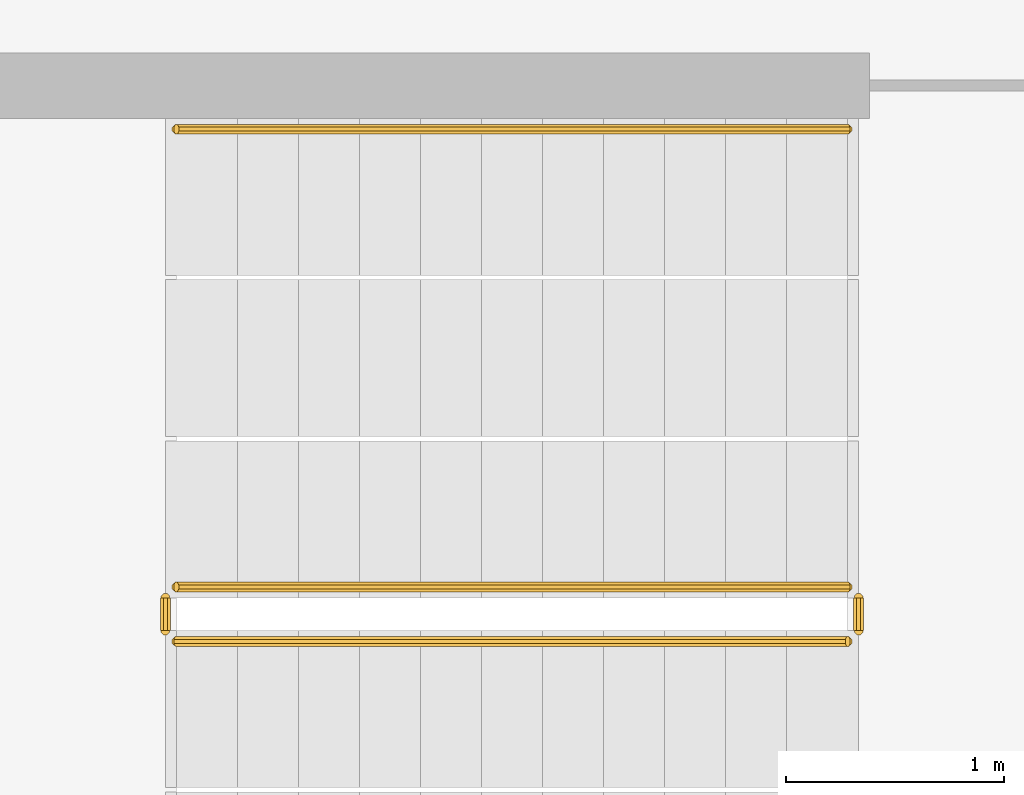
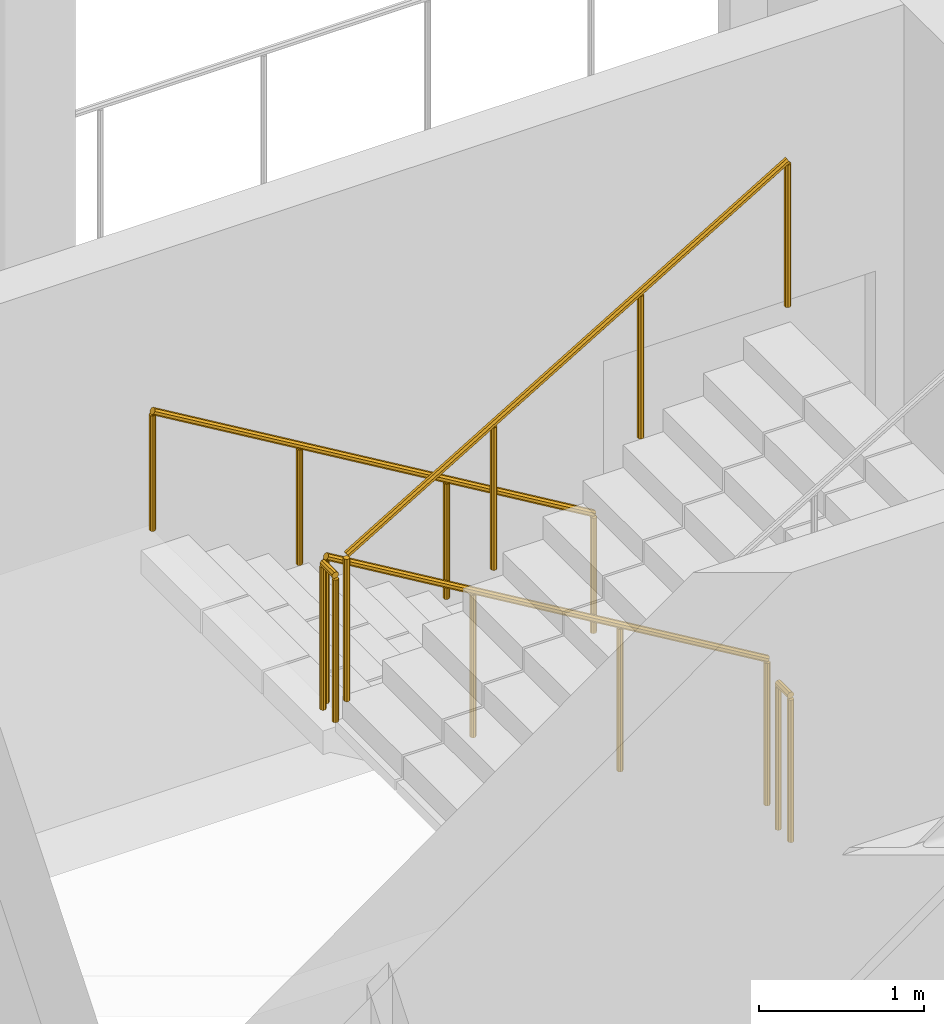
# One storey, part 20 of 28: 5 railings.
"""IFC4 building model written with IfcOpenShell, lengths in metres."""

import ifcopenshell
import ifcopenshell.guid

model = None  # the IFC model being written
_history = None  # IfcOwnerHistory: only IFC2X3 demands one
_inside = {}  # id of a spatial element -> (the spatial element, [elements in it])
_under = {}  # id of a project, library or spatial element -> (it, [spatial elements below it])
_declared = {}  # id of a project -> (the project, [libraries it declares])
_typed = {}  # id of a type object -> (the type object, [elements of that type])
_made_of = {}  # id of a material, layer set ... -> (it, [elements and type objects made of it])


def new_model(schema):
    """Start an empty IFC model of exactly this schema.

    Asked for "IFC4X3", IfcOpenShell would pick the latest addendum, in which some entities
    have other attributes; the version numbers below select the first issue.
    IFC2X3 requires an IfcOwnerHistory on every rooted entity: one is made here for all.
    """
    global model, _history
    if schema == "IFC4X3":
        model = ifcopenshell.file(schema_version=(4, 3, 0, 0))
    else:
        model = ifcopenshell.file(schema=schema)
    _inside.clear()
    _under.clear()
    _declared.clear()
    _typed.clear()
    _made_of.clear()
    _history = None
    if model.schema == "IFC2X3":
        org = make("IfcOrganization", Name="unknown")
        user = make(
            "IfcPersonAndOrganization",
            ThePerson=make("IfcPerson", FamilyName="unknown"),
            TheOrganization=org,
        )
        app = make(
            "IfcApplication",
            ApplicationDeveloper=org,
            Version="unknown",
            ApplicationFullName="unknown",
            ApplicationIdentifier="unknown",
        )
        _history = make(
            "IfcOwnerHistory",
            OwningUser=user,
            OwningApplication=app,
            ChangeAction="ADDED",
            CreationDate=0,
        )
    return model


def make(cls, **values):
    """One entity of the class cls with the attributes given. An attribute that is None is left unset."""
    return model.create_entity(
        cls, **{name: value for name, value in values.items() if value is not None}
    )


def rooted(cls, **values):
    """An entity with a GlobalId (a new one), such as an element, a storey or a relation."""
    return make(cls, GlobalId=ifcopenshell.guid.new(), OwnerHistory=_history, **values)


def si_unit(unit_type, name, prefix=None):
    """IfcSIUnit, for example si_unit("LENGTHUNIT", "METRE", prefix="MILLI")."""
    return make("IfcSIUnit", UnitType=unit_type, Prefix=prefix, Name=name)


def assignment(units):
    """IfcUnitAssignment: the units of a project."""
    return None if units is None else make("IfcUnitAssignment", Units=units)


def point(xyz):
    """IfcCartesianPoint."""
    return None if xyz is None else make("IfcCartesianPoint", Coordinates=xyz)


def direction(xyz):
    """IfcDirection."""
    return None if xyz is None else make("IfcDirection", DirectionRatios=xyz)


def frame(location, z_axis=None, x_axis=None):
    """IfcAxis2Placement3D, a coordinate frame: its origin and axes. An axis left out is left unset."""
    return make(
        "IfcAxis2Placement3D",
        Location=point(location),
        Axis=direction(z_axis),
        RefDirection=direction(x_axis),
    )


def origin():
    """The frame at (0, 0, 0) with its axes left unset."""
    return frame((0.0, 0.0, 0.0))


def place(relative_to, where):
    """IfcLocalPlacement: puts the frame where relative to a parent placement (None: the world)."""
    return make(
        "IfcLocalPlacement", PlacementRelTo=relative_to, RelativePlacement=where
    )


def context(
    kind, dimensions, precision=None, world=None, true_north=None, identifier=None
):
    """IfcGeometricRepresentationContext, for example the 3D "Model" context."""
    return make(
        "IfcGeometricRepresentationContext",
        ContextIdentifier=identifier,
        ContextType=kind,
        CoordinateSpaceDimension=dimensions,
        Precision=precision,
        WorldCoordinateSystem=world,
        TrueNorth=true_north,
    )


def subcontext(parent, identifier, kind, view, scale=None):
    """IfcGeometricRepresentationSubContext, for example "Body" below "Model"."""
    return make(
        "IfcGeometricRepresentationSubContext",
        ContextIdentifier=identifier,
        ContextType=kind,
        ParentContext=parent,
        TargetScale=scale,
        TargetView=view,
    )


def project(units=None, contexts=None):
    """IfcProject with its units and contexts."""
    return rooted(
        "IfcProject",
        Name="project",
        RepresentationContexts=contexts,
        UnitsInContext=assignment(units),
    )


def spatial(cls, under=None, at=None, **own):
    """A site, building, storey or space (cls), placed at a placement, below another one or the project."""
    s = rooted(cls, ObjectPlacement=at, **own)
    if under is not None:
        _under.setdefault(under.id(), (under, []))[1].append(s)
    return s


def polyline(points):
    """IfcPolyline through the points."""
    return make("IfcPolyline", Points=[point(p) for p in points])


def outline(outer, holes=None, kind="AREA"):
    """IfcArbitraryClosedProfileDef: a profile drawn as a closed curve; with holes, ...WithVoids."""
    if holes is None:
        return make("IfcArbitraryClosedProfileDef", ProfileType=kind, OuterCurve=outer)
    return make(
        "IfcArbitraryProfileDefWithVoids",
        ProfileType=kind,
        OuterCurve=outer,
        InnerCurves=holes,
    )


def extrude(swept, where, along, depth):
    """IfcExtrudedAreaSolid: the profile swept, set in the frame where, extruded along a direction by depth."""
    return make(
        "IfcExtrudedAreaSolid",
        SweptArea=swept,
        Position=where,
        ExtrudedDirection=direction(along),
        Depth=depth,
    )


def shape(context_of_items, identifier, shape_type, items):
    """IfcShapeRepresentation: the items that make up one representation, for example the "Body"."""
    return make(
        "IfcShapeRepresentation",
        ContextOfItems=context_of_items,
        RepresentationIdentifier=identifier,
        RepresentationType=shape_type,
        Items=items,
    )


def material(Name=None, Category=None):
    """IfcMaterial."""
    return make("IfcMaterial", Name=Name, Category=Category)


def made_of(thing, what):
    """Note that an element or type object is made of a material, layer set ...; save() writes the relation."""
    if what is not None:
        _made_of.setdefault(what.id(), (what, []))[1].append(thing)
    return thing


def type_object(cls, material=None, **own):
    """A type object (cls), such as IfcWallType, which elements share."""
    return made_of(rooted(cls, **own), material)


def element(
    cls,
    number,
    at=None,
    inside=None,
    cuts=None,
    type_object=None,
    material=None,
    context=None,
    identifier="Body",
    shape_type=None,
    held_by="IfcProductDefinitionShape",
    body=None,
    shapes=None,
    **own,
):
    """One element of the class cls, such as IfcWall. Its Tag is "e" and its number.

    at: its placement. inside: the storey or other place that contains it. cuts: it is an
    opening in that element (IfcRelVoidsElement). A single representation is given by context,
    identifier, shape_type and body (its items); several are given by shapes. held_by: the class
    of the entity that holds the representations. save() writes the other relations.
    """
    e = rooted(cls, Tag="e%d" % number, ObjectPlacement=at, **own)
    if body is not None:
        shapes = [shape(context, identifier, shape_type, body)]
    if shapes is not None:
        e.Representation = make(held_by, Representations=shapes)
    if inside is not None:
        _inside.setdefault(inside.id(), (inside, []))[1].append(e)
    if cuts is not None:
        rooted(
            "IfcRelVoidsElement", RelatingBuildingElement=cuts, RelatedOpeningElement=e
        )
    if type_object is not None:
        _typed.setdefault(type_object.id(), (type_object, []))[1].append(e)
    return made_of(e, material)


def aggregate(whole, parts):
    """IfcRelAggregates: a whole, such as a stair, and the parts it consists of."""
    return rooted("IfcRelAggregates", RelatingObject=whole, RelatedObjects=parts)


def save(model, path):
    """Write the relations noted so far, then the file.

    IfcRelAggregates (storeys below a building ...), IfcRelContainedInSpatialStructure (elements
    in a storey), IfcRelDefinesByType, IfcRelAssociatesMaterial and IfcRelDeclares: one each for
    every whole, place, type object, material and project.
    """
    for whole, parts in _under.values():
        aggregate(whole, parts)
    for where, things in _inside.values():
        rooted(
            "IfcRelContainedInSpatialStructure",
            RelatedElements=things,
            RelatingStructure=where,
        )
    for kind, things in _typed.values():
        rooted("IfcRelDefinesByType", RelatedObjects=things, RelatingType=kind)
    for what, things in _made_of.values():
        rooted("IfcRelAssociatesMaterial", RelatedObjects=things, RelatingMaterial=what)
    for by, libraries in _declared.values():
        rooted("IfcRelDeclares", RelatingContext=by, RelatedDefinitions=libraries)
    model.write(path)


model = new_model("IFC4")

# Units and contexts
model_context = context("Model", 3, precision=1e-05, world=origin(), true_north=direction((0.0, 1.0)))
body_context = subcontext(model_context, "Body", "Model", "MODEL_VIEW")
ifc_project = project(units=[si_unit("LENGTHUNIT", "METRE"), si_unit("AREAUNIT", "SQUARE_METRE"), si_unit("VOLUMEUNIT", "CUBIC_METRE"), si_unit("PLANEANGLEUNIT", "RADIAN"), si_unit("MASSUNIT", "GRAM", prefix="KILO")], contexts=[model_context])

# Site, building, storey
site_placement = place(None, origin())
site = spatial("IfcSite", under=ifc_project, at=site_placement, CompositionType="ELEMENT")
building_placement = place(site_placement, origin())
building = spatial("IfcBuilding", under=site, at=building_placement, Name="Cormorant Relay Tower", CompositionType="ELEMENT")
storey_placement = place(building_placement, frame((0.0, 0.0, 174.199951171875)))
storey = spatial("IfcBuildingStorey", under=building, at=storey_placement, Name="L37", CompositionType="ELEMENT", Elevation=174.199951171875)

# Railings
ifc_material_1 = material(Name="Steel ASTM A572 Grade 50 (Fy 345 MPa)", Category="steel")
railing_type_1 = type_object("IfcRailingType", Name="Stair guard 1100", PredefinedType="GUARDRAIL", material=ifc_material_1)
railing_1_placement = place(storey_placement, frame((1.60009765625, -18.27490234375, 0.166748046875)))
element("IfcRailing", 1, at=railing_1_placement, inside=storey, type_object=railing_type_1, Name="L37 RK1 stair guard 1", PredefinedType="GUARDRAIL", context=body_context, shape_type="SweptSolid", body=[
    extrude(outline(polyline([(0.022216796875, 0.00927734375), (0.00927734375, 0.022216796875), (-0.00927734375, 0.022216796875), (-0.022216796875, 0.00927734375), (-0.022216796875, -0.00927734375), (-0.00927734375, -0.022216796875), (0.00927734375, -0.022216796875), (0.022216796875, -0.00927734375), (0.022216796875, 0.00927734375)])), frame((0.0, 0.0, 1.076171875), z_axis=(-0.859308565015, 0.0, 0.511457515432), x_axis=(0.0, -1.0, 0.0)), (0.0, 0.0, 1.0), 3.58447265625),
    extrude(outline(polyline([(0.019287109375, 0.008056640625), (0.008056640625, 0.019287109375), (-0.008056640625, 0.019287109375), (-0.019287109375, 0.008056640625), (-0.019287109375, -0.008056640625), (-0.008056640625, -0.019287109375), (0.008056640625, -0.019287109375), (0.019287109375, -0.008056640625), (0.019287109375, 0.008056640625)])), origin(), (0.0, 0.0, 1.0), 1.052001953125),
    extrude(outline(polyline([(0.019287109375, 0.008056640625), (0.008056640625, 0.019287109375), (-0.008056640625, 0.019287109375), (-0.019287109375, 0.008056640625), (-0.019287109375, -0.008056640625), (-0.008056640625, -0.019287109375), (0.008056640625, -0.019287109375), (0.019287109375, -0.008056640625), (0.019287109375, 0.008056640625)])), frame((-1.026611328125, 0.0, 0.611083984375)), (0.0, 0.0, 1.0), 1.052001953125),
    extrude(outline(polyline([(0.019287109375, 0.008056640625), (0.008056640625, 0.019287109375), (-0.008056640625, 0.019287109375), (-0.019287109375, 0.008056640625), (-0.019287109375, -0.008056640625), (-0.008056640625, -0.019287109375), (0.008056640625, -0.019287109375), (0.019287109375, -0.008056640625), (0.019287109375, 0.008056640625)])), frame((-2.053466796875, 0.0, 1.22216796875)), (0.0, 0.0, 1.0), 1.052001953125),
    extrude(outline(polyline([(0.019287109375, 0.008056640625), (0.008056640625, 0.019287109375), (-0.008056640625, 0.019287109375), (-0.019287109375, 0.008056640625), (-0.019287109375, -0.008056640625), (-0.008056640625, -0.019287109375), (0.008056640625, -0.019287109375), (0.019287109375, -0.008056640625), (0.019287109375, 0.008056640625)])), frame((-3.080078125, 0.0, 1.833251953125)), (0.0, 0.0, 1.0), 1.052001953125),
])
railing_2_placement = place(storey_placement, frame((-1.530029296875, -18.324951171875, 2.0)))
element("IfcRailing", 2, at=railing_2_placement, inside=storey, type_object=railing_type_1, Name="L37 RK1 stair guard 2", PredefinedType="GUARDRAIL", context=body_context, shape_type="SweptSolid", body=[
    extrude(outline(polyline([(0.022216796875, 0.00927734375), (0.00927734375, 0.022216796875), (-0.00927734375, 0.022216796875), (-0.022216796875, 0.00927734375), (-0.022216796875, -0.00927734375), (-0.00927734375, -0.022216796875), (0.00927734375, -0.022216796875), (0.022216796875, -0.00927734375), (0.022216796875, 0.00927734375)])), frame((0.0, 0.0, 1.076171875), z_axis=(0.0, -1.0, 0.0), x_axis=(1.0, 0.0, 0.0)), (0.0, 0.0, 1.0), 0.150146484375),
    extrude(outline(polyline([(0.019287109375, 0.008056640625), (0.008056640625, 0.019287109375), (-0.008056640625, 0.019287109375), (-0.019287109375, 0.008056640625), (-0.019287109375, -0.008056640625), (-0.008056640625, -0.019287109375), (0.008056640625, -0.019287109375), (0.019287109375, -0.008056640625), (0.019287109375, 0.008056640625)])), origin(), (0.0, 0.0, 1.0), 1.052001953125),
    extrude(outline(polyline([(0.019287109375, 0.008056640625), (0.008056640625, 0.019287109375), (-0.008056640625, 0.019287109375), (-0.019287109375, 0.008056640625), (-0.019287109375, -0.008056640625), (-0.008056640625, -0.019287109375), (0.008056640625, -0.019287109375), (0.019287109375, -0.008056640625), (0.019287109375, 0.008056640625)])), frame((0.0, -0.150146484375, 0.0)), (0.0, 0.0, 1.0), 1.052001953125),
])
railing_3_placement = place(storey_placement, frame((-1.47998046875, -18.52490234375, 2.166748046875)))
element("IfcRailing", 3, at=railing_3_placement, inside=storey, type_object=railing_type_1, Name="L37 RK1 stair guard 3", PredefinedType="GUARDRAIL", context=body_context, shape_type="SweptSolid", body=[
    extrude(outline(polyline([(0.022216796875, 0.00927734375), (0.00927734375, 0.022216796875), (-0.00927734375, 0.022216796875), (-0.022216796875, 0.00927734375), (-0.022216796875, -0.00927734375), (-0.00927734375, -0.022216796875), (0.00927734375, -0.022216796875), (0.022216796875, -0.00927734375), (0.022216796875, 0.00927734375)])), frame((0.0, 0.0, 1.076171875), z_axis=(0.859308565015, 0.0, 0.511457515432), x_axis=(0.0, 1.0, 0.0)), (0.0, 0.0, 1.0), 3.58447265625),
    extrude(outline(polyline([(0.019287109375, 0.008056640625), (0.008056640625, 0.019287109375), (-0.008056640625, 0.019287109375), (-0.019287109375, 0.008056640625), (-0.019287109375, -0.008056640625), (-0.008056640625, -0.019287109375), (0.008056640625, -0.019287109375), (0.019287109375, -0.008056640625), (0.019287109375, 0.008056640625)])), origin(), (0.0, 0.0, 1.0), 1.052001953125),
    extrude(outline(polyline([(0.019287109375, 0.008056640625), (0.008056640625, 0.019287109375), (-0.008056640625, 0.019287109375), (-0.019287109375, 0.008056640625), (-0.019287109375, -0.008056640625), (-0.008056640625, -0.019287109375), (0.008056640625, -0.019287109375), (0.019287109375, -0.008056640625), (0.019287109375, 0.008056640625)])), frame((1.026611328125, 0.0, 0.611083984375)), (0.0, 0.0, 1.0), 1.052001953125),
    extrude(outline(polyline([(0.019287109375, 0.008056640625), (0.008056640625, 0.019287109375), (-0.008056640625, 0.019287109375), (-0.019287109375, 0.008056640625), (-0.019287109375, -0.008056640625), (-0.008056640625, -0.019287109375), (0.008056640625, -0.019287109375), (0.019287109375, -0.008056640625), (0.019287109375, 0.008056640625)])), frame((2.053466796875, 0.0, 1.22216796875)), (0.0, 0.0, 1.0), 1.052001953125),
    extrude(outline(polyline([(0.019287109375, 0.008056640625), (0.008056640625, 0.019287109375), (-0.008056640625, 0.019287109375), (-0.019287109375, 0.008056640625), (-0.019287109375, -0.008056640625), (-0.008056640625, -0.019287109375), (0.008056640625, -0.019287109375), (0.019287109375, -0.008056640625), (0.019287109375, 0.008056640625)])), frame((3.080078125, 0.0, 1.833251953125)), (0.0, 0.0, 1.0), 1.052001953125),
])
railing_4_placement = place(storey_placement, frame((1.64990234375, -18.324951171875, 0.0)))
element("IfcRailing", 4, at=railing_4_placement, inside=storey, type_object=railing_type_1, Name="L37 RK1 stair guard 4", PredefinedType="GUARDRAIL", context=body_context, shape_type="SweptSolid", body=[
    extrude(outline(polyline([(0.022216796875, 0.00927734375), (0.00927734375, 0.022216796875), (-0.00927734375, 0.022216796875), (-0.022216796875, 0.00927734375), (-0.022216796875, -0.00927734375), (-0.00927734375, -0.022216796875), (0.00927734375, -0.022216796875), (0.022216796875, -0.00927734375), (0.022216796875, 0.00927734375)])), frame((0.0, 0.0, 1.076171875), z_axis=(0.0, -1.0, 0.0), x_axis=(1.0, 0.0, 0.0)), (0.0, 0.0, 1.0), 0.150146484375),
    extrude(outline(polyline([(0.019287109375, 0.008056640625), (0.008056640625, 0.019287109375), (-0.008056640625, 0.019287109375), (-0.019287109375, 0.008056640625), (-0.019287109375, -0.008056640625), (-0.008056640625, -0.019287109375), (0.008056640625, -0.019287109375), (0.019287109375, -0.008056640625), (0.019287109375, 0.008056640625)])), origin(), (0.0, 0.0, 1.0), 1.052001953125),
    extrude(outline(polyline([(0.019287109375, 0.008056640625), (0.008056640625, 0.019287109375), (-0.008056640625, 0.019287109375), (-0.019287109375, 0.008056640625), (-0.019287109375, -0.008056640625), (-0.008056640625, -0.019287109375), (0.008056640625, -0.019287109375), (0.019287109375, -0.008056640625), (0.019287109375, 0.008056640625)])), frame((0.0, -0.150146484375, 0.0)), (0.0, 0.0, 1.0), 1.052001953125),
])
ifc_material_2 = material(Name="Steel ASTM A572 Grade 50 (Fy 345 MPa)", Category="steel")
railing_type_2 = type_object("IfcRailingType", Name="Stair handrail 900", PredefinedType="HANDRAIL", material=ifc_material_2)
railing_5_placement = place(storey_placement, frame((1.60009765625, -16.175048828125, 0.166748046875)))
element("IfcRailing", 5, at=railing_5_placement, inside=storey, type_object=railing_type_2, Name="L37 RK1 stair handrail 1", PredefinedType="HANDRAIL", context=body_context, shape_type="SweptSolid", body=[
    extrude(outline(polyline([(0.022216796875, 0.00927734375), (0.00927734375, 0.022216796875), (-0.00927734375, 0.022216796875), (-0.022216796875, 0.00927734375), (-0.022216796875, -0.00927734375), (-0.00927734375, -0.022216796875), (0.00927734375, -0.022216796875), (0.022216796875, -0.00927734375), (0.022216796875, 0.00927734375)])), frame((0.0, 0.0, 0.8759765625), z_axis=(-0.859308565015, 0.0, 0.511457515432), x_axis=(0.0, -1.0, 0.0)), (0.0, 0.0, 1.0), 3.58447265625),
    extrude(outline(polyline([(0.019287109375, 0.008056640625), (0.008056640625, 0.019287109375), (-0.008056640625, 0.019287109375), (-0.019287109375, 0.008056640625), (-0.019287109375, -0.008056640625), (-0.008056640625, -0.019287109375), (0.008056640625, -0.019287109375), (0.019287109375, -0.008056640625), (0.019287109375, 0.008056640625)])), origin(), (0.0, 0.0, 1.0), 0.851806640625),
    extrude(outline(polyline([(0.019287109375, 0.008056640625), (0.008056640625, 0.019287109375), (-0.008056640625, 0.019287109375), (-0.019287109375, 0.008056640625), (-0.019287109375, -0.008056640625), (-0.008056640625, -0.019287109375), (0.008056640625, -0.019287109375), (0.019287109375, -0.008056640625), (0.019287109375, 0.008056640625)])), frame((-1.026611328125, 0.0, 0.611083984375)), (0.0, 0.0, 1.0), 0.851806640625),
    extrude(outline(polyline([(0.019287109375, 0.008056640625), (0.008056640625, 0.019287109375), (-0.008056640625, 0.019287109375), (-0.019287109375, 0.008056640625), (-0.019287109375, -0.008056640625), (-0.008056640625, -0.019287109375), (0.008056640625, -0.019287109375), (0.019287109375, -0.008056640625), (0.019287109375, 0.008056640625)])), frame((-2.053466796875, 0.0, 1.22216796875)), (0.0, 0.0, 1.0), 0.851806640625),
    extrude(outline(polyline([(0.019287109375, 0.008056640625), (0.008056640625, 0.019287109375), (-0.008056640625, 0.019287109375), (-0.019287109375, 0.008056640625), (-0.019287109375, -0.008056640625), (-0.008056640625, -0.019287109375), (0.008056640625, -0.019287109375), (0.019287109375, -0.008056640625), (0.019287109375, 0.008056640625)])), frame((-3.080078125, 0.0, 1.833251953125)), (0.0, 0.0, 1.0), 0.851806640625),
])

save(model, "model.ifc")
